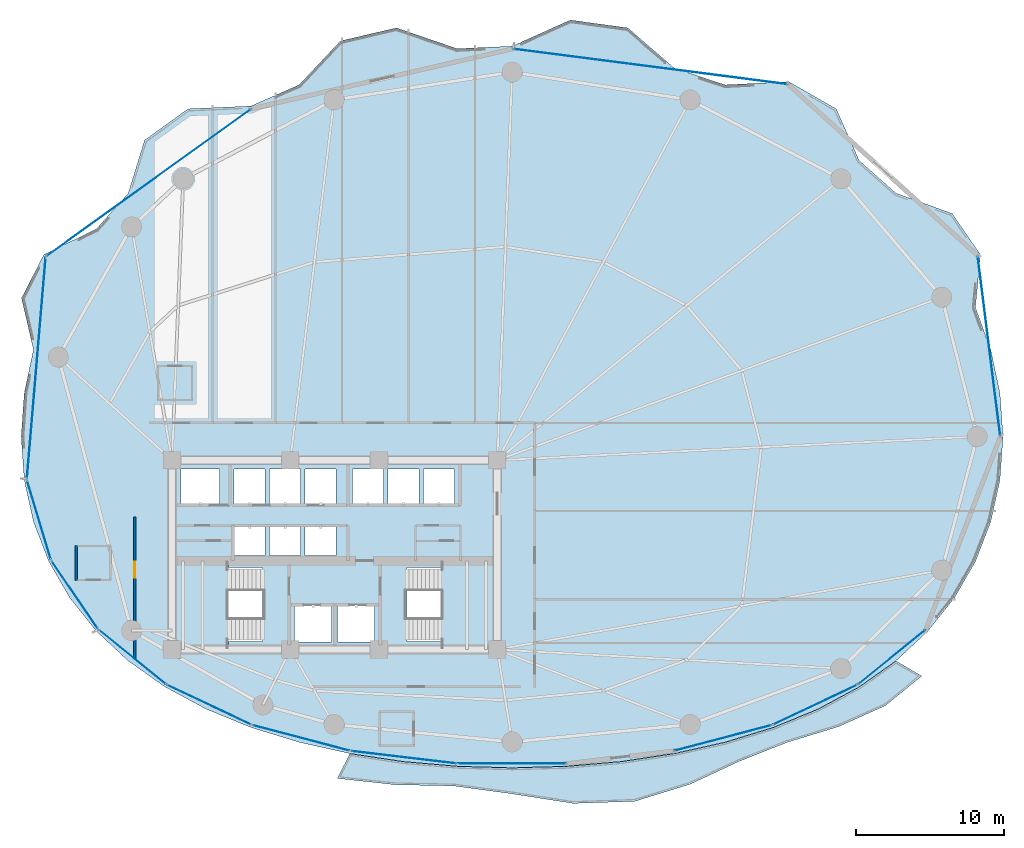
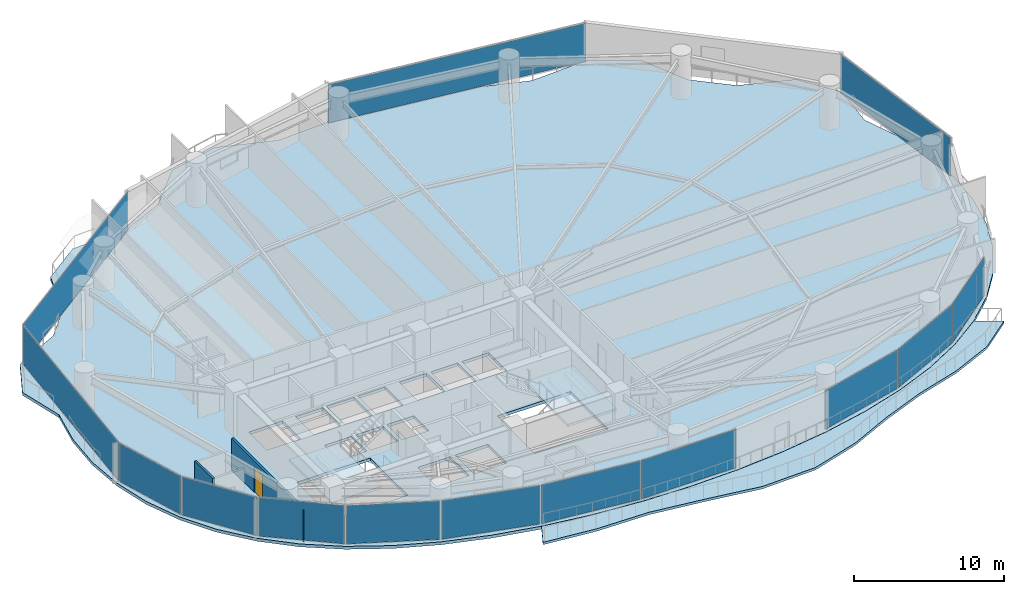
# One storey, part 24 of 30: 14 plates, 4 slabs, 2 walls, 1 door, 1 opening, 16 elements without a shape of their own.
"""IFC4 building model written with IfcOpenShell, lengths in metres."""

from ifc_helpers import new_model, si_unit, direction, frame, frame_2d, origin, origin_2d, place, context, subcontext, project, spatial, polyline, rectangle, outline, extrude, material, layer, layer_set, type_object, element, fill, aggregate, save


model = new_model("IFC4")

# Units and contexts
model_context = context("Model", 3, precision=1e-05, world=origin(), true_north=direction((0.0, 1.0)))
body_context = subcontext(model_context, "Body", "Model", "MODEL_VIEW")
ifc_project = project(units=[si_unit("LENGTHUNIT", "METRE"), si_unit("AREAUNIT", "SQUARE_METRE"), si_unit("VOLUMEUNIT", "CUBIC_METRE"), si_unit("PLANEANGLEUNIT", "RADIAN"), si_unit("MASSUNIT", "GRAM", prefix="KILO")], contexts=[model_context])

# Site, building, storey
site_placement = place(None, origin())
site = spatial("IfcSite", under=ifc_project, at=site_placement, CompositionType="ELEMENT")
building_placement = place(site_placement, origin())
building = spatial("IfcBuilding", under=site, at=building_placement, Name="Kazevale Care Tower and Concert Hall", CompositionType="ELEMENT")
storey_placement = place(building_placement, frame((0.0, 0.0, 88.800048828125)))
storey = spatial("IfcBuildingStorey", under=building, at=storey_placement, Name="L23", CompositionType="ELEMENT", Elevation=88.800048828125)

# Curtain wall, plate
ifc_material_1 = material(Name="Aluminium 6063-T6 and Low-E Glass", Category="aluminium")
ifc_layer_1 = layer(ifc_material_1, 0.179931640625)
ifc_layer_set_1 = layer_set([ifc_layer_1], Name="Aluminium 6063-T6 and Low-E Glass")
curtain_wall_type_1 = type_object("IfcCurtainWallType", Name="Convex Recessed Sunroom Curtain Wall CW-3", PredefinedType="NOTDEFINED", material=ifc_layer_set_1)
curtain_wall_1_placement = place(storey_placement, origin())
curtain_wall_1 = element("IfcCurtainWall", 1, at=curtain_wall_1_placement, inside=storey, type_object=curtain_wall_type_1, Name="cw:L23:f14", PredefinedType="NOTDEFINED")
ifc_material_2 = material(Name="Low-E Laminated Glass", Category="glass")
ifc_layer_2 = layer(ifc_material_2, 0.028076171875)
ifc_layer_set_2 = layer_set([ifc_layer_2], Name="Low-E Laminated Glass")
plate_type_1 = type_object("IfcPlateType", Name="CW-3 Low-E Glazing Panel 28mm", PredefinedType="CURTAIN_PANEL", material=ifc_layer_set_2)
plate_1_placement = place(storey_placement, frame((20.4208984375, 55.169921875, 0.074951171875), z_axis=(0.0, 0.0, 1.0), x_axis=(0.811757810171, 0.583994227391, 0.0)))
plate_1 = element("IfcPlate", 2, at=plate_1_placement, type_object=plate_type_1, Name="CW-3 panel 1.1", PredefinedType="CURTAIN_PANEL", context=body_context, shape_type="SweptSolid", body=[
    extrude(rectangle(XDim=16.990478515625, YDim=0.028076171875, at=origin_2d()), origin(), (0.0, 0.0, 1.0), 3.1298828125),
])
aggregate(curtain_wall_1, [plate_1])

curtain_wall_2_placement = place(storey_placement, origin())
curtain_wall_2 = element("IfcCurtainWall", 3, at=curtain_wall_2_placement, inside=storey, type_object=curtain_wall_type_1, Name="cw:L23:f16", PredefinedType="NOTDEFINED")
plate_2_placement = place(storey_placement, frame((54.349609375, 63.02197265625, 0.074951171875), z_axis=(0.0, 0.0, 1.0), x_axis=(0.991790949461, -0.127869904852, 0.0)))
plate_2 = element("IfcPlate", 4, at=plate_2_placement, type_object=plate_type_1, Name="CW-3 panel 1.1", PredefinedType="CURTAIN_PANEL", context=body_context, shape_type="SweptSolid", body=[
    extrude(rectangle(XDim=18.619140625, YDim=0.028076171875, at=origin_2d()), origin(), (0.0, 0.0, 1.0), 3.1298828125),
])
aggregate(curtain_wall_2, [plate_2])

ifc_layer_3 = layer(ifc_material_1, 0.179931640625)
ifc_layer_set_3 = layer_set([ifc_layer_3], Name="Aluminium 6063-T6 and Low-E Glass")
curtain_wall_type_2 = type_object("IfcCurtainWallType", Name="Waist & Upper Residential Curtain Wall CW-4", PredefinedType="NOTDEFINED", material=ifc_layer_set_3)
curtain_wall_3_placement = place(storey_placement, origin())
curtain_wall_3 = element("IfcCurtainWall", 5, at=curtain_wall_3_placement, inside=storey, type_object=curtain_wall_type_2, Name="cw:L23:f11", PredefinedType="NOTDEFINED")
ifc_layer_4 = layer(ifc_material_2, 0.030029296875)
ifc_layer_set_4 = layer_set([ifc_layer_4], Name="Low-E Laminated Glass")
plate_type_2 = type_object("IfcPlateType", Name="CW-4 Low-E Glazing Panel 30mm", PredefinedType="CURTAIN_PANEL", material=ifc_layer_set_4)
plate_3_placement = place(storey_placement, frame((15.423583984375, 27.298095703125, 0.079833984375), z_axis=(0.0, 0.0, 1.0), x_axis=(-0.563665236801, 0.826003329789, 0.0)))
plate_3 = element("IfcPlate", 6, at=plate_3_placement, type_object=plate_type_2, Name="CW-4 panel 1.1", PredefinedType="CURTAIN_PANEL", context=body_context, shape_type="SweptSolid", body=[
    extrude(rectangle(XDim=5.50830078125, YDim=0.030029296875, at=origin_2d()), origin(), (0.0, 0.0, 1.0), 3.1201171875),
])
aggregate(curtain_wall_3, [plate_3])

curtain_wall_4_placement = place(storey_placement, origin())
curtain_wall_4 = element("IfcCurtainWall", 7, at=curtain_wall_4_placement, inside=storey, type_object=curtain_wall_type_2, Name="cw:L23:f12", PredefinedType="NOTDEFINED")
plate_4_placement = place(storey_placement, frame((13.006591796875, 32.364990234375, 0.079833984375), z_axis=(0.0, 0.0, 1.0), x_axis=(-0.287895747909, 0.957661755703, 0.0)))
plate_4 = element("IfcPlate", 8, at=plate_4_placement, type_object=plate_type_2, Name="CW-4 panel 1.1", PredefinedType="CURTAIN_PANEL", context=body_context, shape_type="SweptSolid", body=[
    extrude(rectangle(XDim=5.532958984375, YDim=0.030029296875, at=origin_2d()), origin(), (0.0, 0.0, 1.0), 3.1201171875),
])
aggregate(curtain_wall_4, [plate_4])

curtain_wall_5_placement = place(storey_placement, origin())
curtain_wall_5 = element("IfcCurtainWall", 9, at=curtain_wall_5_placement, inside=storey, type_object=curtain_wall_type_2, Name="cw:L23:f13", PredefinedType="NOTDEFINED")
plate_5_placement = place(storey_placement, frame((12.825439453125, 42.6279296875, 0.079833984375), z_axis=(0.0, 0.0, 1.0), x_axis=(0.084413041998, 0.996430849754, 0.0)))
plate_5 = element("IfcPlate", 10, at=plate_5_placement, type_object=plate_type_2, Name="CW-4 panel 1.1", PredefinedType="CURTAIN_PANEL", context=body_context, shape_type="SweptSolid", body=[
    extrude(rectangle(XDim=14.968017578125, YDim=0.030029296875, at=origin_2d()), origin(), (0.0, 0.0, 1.0), 3.1201171875),
])
aggregate(curtain_wall_5, [plate_5])

curtain_wall_6_placement = place(storey_placement, origin())
curtain_wall_6 = element("IfcCurtainWall", 11, at=curtain_wall_6_placement, inside=storey, type_object=curtain_wall_type_2, Name="cw:L23:f18", PredefinedType="NOTDEFINED")
plate_6_placement = place(storey_placement, frame((77.251953125, 44.1259765625, 0.079833984375), z_axis=(0.0, 0.0, 1.0), x_axis=(0.124393554037, -0.992232958389, 0.0)))
plate_6 = element("IfcPlate", 12, at=plate_6_placement, type_object=plate_type_2, Name="CW-4 panel 1.1", PredefinedType="CURTAIN_PANEL", context=body_context, shape_type="SweptSolid", body=[
    extrude(rectangle(XDim=12.18798828125, YDim=0.030029296875, at=origin_2d()), origin(), (0.0, 0.0, 1.0), 3.1201171875),
])
aggregate(curtain_wall_6, [plate_6])

ifc_layer_5 = layer(ifc_material_1, 0.179931640625)
ifc_layer_set_5 = layer_set([ifc_layer_5], Name="Aluminium 6063-T6 and Low-E Glass")
curtain_wall_type_3 = type_object("IfcCurtainWallType", Name="Sheltered Concave Balcony Curtain Wall CW-5", PredefinedType="NOTDEFINED", material=ifc_layer_set_5)
curtain_wall_7_placement = place(storey_placement, origin())
curtain_wall_7 = element("IfcCurtainWall", 13, at=curtain_wall_7_placement, inside=storey, type_object=curtain_wall_type_3, Name="cw:L23:f02", PredefinedType="NOTDEFINED")
ifc_layer_6 = layer(ifc_material_2, 0.02587890625)
ifc_layer_set_6 = layer_set([ifc_layer_6], Name="Low-E Laminated Glass")
plate_type_3 = type_object("IfcPlateType", Name="CW-5 Low-E Glazing Panel 26mm", PredefinedType="CURTAIN_PANEL", material=ifc_layer_set_6)
plate_7_placement = place(storey_placement, frame((70.679931640625, 23.092041015625, 0.074951171875), z_axis=(0.0, 0.0, 1.0), x_axis=(-0.77659940539, -0.629994732952, 0.0)))
plate_7 = element("IfcPlate", 14, at=plate_7_placement, type_object=plate_type_3, Name="CW-5 panel 1.1", PredefinedType="CURTAIN_PANEL", context=body_context, shape_type="SweptSolid", body=[
    extrude(rectangle(XDim=5.770751953125, YDim=0.02587890625, at=origin_2d()), origin(), (0.0, 0.0, 1.0), 3.1298828125),
])
aggregate(curtain_wall_7, [plate_7])

curtain_wall_8_placement = place(storey_placement, origin())
curtain_wall_8 = element("IfcCurtainWall", 15, at=curtain_wall_8_placement, inside=storey, type_object=curtain_wall_type_3, Name="cw:L23:f03", PredefinedType="NOTDEFINED")
plate_8_placement = place(storey_placement, frame((65.491943359375, 19.863037109375, 0.074951171875), z_axis=(0.0, 0.0, 1.0), x_axis=(-0.904278859092, -0.426942320459, 0.0)))
plate_8 = element("IfcPlate", 16, at=plate_8_placement, type_object=plate_type_3, Name="CW-5 panel 1.1", PredefinedType="CURTAIN_PANEL", context=body_context, shape_type="SweptSolid", body=[
    extrude(rectangle(XDim=6.239501953125, YDim=0.02587890625, at=origin_2d()), origin(), (0.0, 0.0, 1.0), 3.1298828125),
])
aggregate(curtain_wall_8, [plate_8])

curtain_wall_9_placement = place(storey_placement, origin())
curtain_wall_9 = element("IfcCurtainWall", 17, at=curtain_wall_9_placement, inside=storey, type_object=curtain_wall_type_3, Name="cw:L23:f04", PredefinedType="NOTDEFINED")
plate_9_placement = place(storey_placement, frame((59.267578125, 17.6201171875, 0.074951171875), z_axis=(0.0, 0.0, 1.0), x_axis=(-0.966986230097, -0.254828630267, 0.0)))
plate_9 = element("IfcPlate", 18, at=plate_9_placement, type_object=plate_type_3, Name="CW-5 panel 1.1", PredefinedType="CURTAIN_PANEL", context=body_context, shape_type="SweptSolid", body=[
    extrude(rectangle(XDim=6.748779296875, YDim=0.02587890625, at=origin_2d()), origin(), (0.0, 0.0, 1.0), 3.1298828125),
])
aggregate(curtain_wall_9, [plate_9])

curtain_wall_10_placement = place(storey_placement, origin())
curtain_wall_10 = element("IfcCurtainWall", 19, at=curtain_wall_10_placement, inside=storey, type_object=curtain_wall_type_3, Name="cw:L23:f06", PredefinedType="NOTDEFINED")
plate_10_placement = place(storey_placement, frame((45.0, 15.885986328125, 0.074951171875), z_axis=(0.0, 0.0, 1.0), x_axis=(-1.0, 0.0, 0.0)))
plate_10 = element("IfcPlate", 20, at=plate_10_placement, type_object=plate_type_3, Name="CW-5 panel 1.1", PredefinedType="CURTAIN_PANEL", context=body_context, shape_type="SweptSolid", body=[
    extrude(rectangle(XDim=7.263916015625, YDim=0.02587890625, at=origin_2d()), origin(), (0.0, 0.0, 1.0), 3.1298828125),
])
aggregate(curtain_wall_10, [plate_10])

curtain_wall_11_placement = place(storey_placement, origin())
curtain_wall_11 = element("IfcCurtainWall", 21, at=curtain_wall_11_placement, inside=storey, type_object=curtain_wall_type_3, Name="cw:L23:f07", PredefinedType="NOTDEFINED")
plate_11_placement = place(storey_placement, frame((37.680419921875, 16.3134765625, 0.074951171875), z_axis=(0.0, 0.0, 1.0), x_axis=(-0.993070624294, 0.117519084253, 0.0)))
plate_11 = element("IfcPlate", 22, at=plate_11_placement, type_object=plate_type_3, Name="CW-5 panel 1.1", PredefinedType="CURTAIN_PANEL", context=body_context, shape_type="SweptSolid", body=[
    extrude(rectangle(XDim=7.12548828125, YDim=0.02587890625, at=origin_2d()), origin(), (0.0, 0.0, 1.0), 3.1298828125),
])
aggregate(curtain_wall_11, [plate_11])

curtain_wall_12_placement = place(storey_placement, origin())
curtain_wall_12 = element("IfcCurtainWall", 23, at=curtain_wall_12_placement, inside=storey, type_object=curtain_wall_type_3, Name="cw:L23:f08", PredefinedType="NOTDEFINED")
plate_12_placement = place(storey_placement, frame((30.732421875, 17.6201171875, 0.074951171875), z_axis=(0.0, 0.0, 1.0), x_axis=(-0.966986230097, 0.254828630267, 0.0)))
plate_12 = element("IfcPlate", 24, at=plate_12_placement, type_object=plate_type_3, Name="CW-5 panel 1.1", PredefinedType="CURTAIN_PANEL", context=body_context, shape_type="SweptSolid", body=[
    extrude(rectangle(XDim=6.748779296875, YDim=0.02587890625, at=origin_2d()), origin(), (0.0, 0.0, 1.0), 3.1298828125),
])
aggregate(curtain_wall_12, [plate_12])

curtain_wall_13_placement = place(storey_placement, origin())
curtain_wall_13 = element("IfcCurtainWall", 25, at=curtain_wall_13_placement, inside=storey, type_object=curtain_wall_type_3, Name="cw:L23:f09", PredefinedType="NOTDEFINED")
plate_13_placement = place(storey_placement, frame((24.508056640625, 19.863037109375, 0.074951171875), z_axis=(0.0, 0.0, 1.0), x_axis=(-0.904278859092, 0.426942320459, 0.0)))
plate_13 = element("IfcPlate", 26, at=plate_13_placement, type_object=plate_type_3, Name="CW-5 panel 1.1", PredefinedType="CURTAIN_PANEL", context=body_context, shape_type="SweptSolid", body=[
    extrude(rectangle(XDim=6.239501953125, YDim=0.02587890625, at=origin_2d()), origin(), (0.0, 0.0, 1.0), 3.1298828125),
])
aggregate(curtain_wall_13, [plate_13])

curtain_wall_14_placement = place(storey_placement, origin())
curtain_wall_14 = element("IfcCurtainWall", 27, at=curtain_wall_14_placement, inside=storey, type_object=curtain_wall_type_3, Name="cw:L23:f10", PredefinedType="NOTDEFINED")
plate_14_placement = place(storey_placement, frame((19.320068359375, 23.092041015625, 0.074951171875), z_axis=(0.0, 0.0, 1.0), x_axis=(-0.77659940539, 0.629994732952, 0.0)))
plate_14 = element("IfcPlate", 28, at=plate_14_placement, type_object=plate_type_3, Name="CW-5 panel 1.1", PredefinedType="CURTAIN_PANEL", context=body_context, shape_type="SweptSolid", body=[
    extrude(rectangle(XDim=5.770751953125, YDim=0.02587890625, at=origin_2d()), origin(), (0.0, 0.0, 1.0), 3.1298828125),
])
aggregate(curtain_wall_14, [plate_14])

# Slab
ifc_material_3 = material(Name="Concrete C40", Category="concrete")
ifc_layer_7 = layer(ifc_material_3, 0.199951171875)
ifc_layer_set_7 = layer_set([ifc_layer_7], Name="Concrete C40")
slab_type_1 = type_object("IfcSlabType", Name="Sinusoidal Concave Balcony Slab 200", PredefinedType="USERDEFINED", material=ifc_layer_set_7)
slab_1_placement = place(storey_placement, frame((0.0, 0.0, -0.199951171875)))
element("IfcSlab", 29, at=slab_1_placement, inside=storey, type_object=slab_type_1, Name="slab:L23:bal", ObjectType="BALCONY", PredefinedType="USERDEFINED", context=body_context, shape_type="SweptSolid", body=[
    extrude(outline(polyline([(72.702880859375, 21.806396484375), (70.239501953125, 19.802001953125), (67.04931640625, 18.37451171875), (63.57421875, 17.3154296875), (60.317138671875, 16.01953125), (57.028076171875, 14.486328125), (53.29248046875, 13.33447265625), (49.13623046875, 13.192626953125), (45.0, 13.84130859375), (41.060791015625, 14.374267578125), (37.084716796875, 14.45654296875), (33.17578125, 14.884765625), (34.0322265625, 16.55908203125), (34.03369140625, 16.558837890625), (37.61181640625, 16.0205078125), (41.282470703125, 15.700927734375), (45.0, 15.594970703125), (48.717529296875, 15.700927734375), (52.38818359375, 16.0205078125), (55.96630859375, 16.558837890625), (59.40625, 17.323974609375), (62.665283203125, 18.324951171875), (65.701904296875, 19.571044921875), (68.478515625, 21.069091796875), (70.9599609375, 22.8232421875), (70.961181640625, 22.824462890625), (72.702880859375, 21.806396484375)])), origin(), (0.0, 0.0, 1.0), 0.199951171875),
])

# Stair, slab
stair_type = type_object("IfcStairType", Name="Exit Stair Assembly ST1-Z1", PredefinedType="HALF_TURN_STAIR", material=ifc_material_3)
stair_1_placement = place(storey_placement, origin())
stair_1 = element("IfcStair", 30, at=stair_1_placement, inside=storey, type_object=stair_type, Name="stair:L23:ST1", PredefinedType="HALF_TURN_STAIR")
ifc_layer_8 = layer(ifc_material_3, 0.199951171875)
ifc_layer_set_8 = layer_set([ifc_layer_8], Name="Concrete C40")
slab_type_2 = type_object("IfcSlabType", Name="Stair Half-Landing Slab ST1-Z1", PredefinedType="LANDING", material=ifc_layer_set_8)
slab_2_placement = place(storey_placement, frame((0.0, 0.0, 1.599853515625)))
slab_2 = element("IfcSlab", 31, at=slab_2_placement, type_object=slab_type_2, Name="ST1-Z1 landing 1", PredefinedType="LANDING", context=body_context, shape_type="SweptSolid", body=[
    extrude(outline(polyline([(22.050048828125, 23.699951171875), (25.81005859375, 23.699951171875), (25.81005859375, 29.5), (22.050048828125, 29.5), (22.050048828125, 23.699951171875)])), origin(), (0.0, 0.0, 1.0), 0.2001953125),
])
aggregate(stair_1, [slab_2])

stair_2_placement = place(storey_placement, origin())
stair_2 = element("IfcStair", 32, at=stair_2_placement, inside=storey, type_object=stair_type, Name="stair:L23:ST2", PredefinedType="HALF_TURN_STAIR")
slab_3_placement = place(storey_placement, frame((0.0, 0.0, 1.599853515625)))
slab_3 = element("IfcSlab", 33, at=slab_3_placement, type_object=slab_type_2, Name="ST1-Z1 landing 1", PredefinedType="LANDING", context=body_context, shape_type="SweptSolid", body=[
    extrude(outline(polyline([(40.18994140625, 23.699951171875), (43.949951171875, 23.699951171875), (43.949951171875, 29.5), (40.18994140625, 29.5), (40.18994140625, 23.699951171875)])), origin(), (0.0, 0.0, 1.0), 0.2001953125),
])
aggregate(stair_2, [slab_3])

# Slab
ifc_layer_9 = layer(ifc_material_3, 0.239990234375)
ifc_layer_set_9 = layer_set([ifc_layer_9], Name="Concrete C40")
slab_type_3 = type_object("IfcSlabType", Name="Tower Typical Floor Slab 240", PredefinedType="FLOOR", material=ifc_layer_set_9)
slab_4_placement = place(storey_placement, frame((0.0, 0.0, -0.239990234375)))
element("IfcSlab", 34, at=slab_4_placement, inside=storey, type_object=slab_type_3, Name="slab:L23:tw:1", PredefinedType="FLOOR", context=body_context, shape_type="SweptSolid", body=[
    extrude(outline(polyline([(78.199951171875, 38.0), (77.9912109375, 40.955810546875), (77.36767578125, 43.87451171875), (76.3369140625, 46.719482421875), (76.669189453125, 50.300537109375), (74.762451171875, 53.0830078125), (70.956787109375, 54.460205078125), (68.475830078125, 56.66748046875), (66.915771484375, 60.164794921875), (63.700927734375, 62.004638671875), (59.40478515625, 61.78564453125), (55.96533203125, 62.91845703125), (52.821533203125, 65.63916015625), (48.935546875, 66.171630859375), (45.0, 64.39990234375), (41.28271484375, 64.23388671875), (37.178466796875, 65.63916015625), (33.390625, 64.759033203125), (30.59521484375, 61.78564453125), (27.33642578125, 60.353515625), (23.084228515625, 60.164794921875), (20.145263671875, 58.04638671875), (19.043212890625, 54.460205078125), (16.888916015625, 52.045654296875), (13.330810546875, 50.300537109375), (11.822509765625, 47.36328125), (12.63232421875, 43.87451171875), (12.0087890625, 40.955810546875), (11.800048828125, 38.0), (12.0087890625, 35.06494140625), (12.63232421875, 32.23388671875), (13.6630859375, 29.560791015625), (15.087890625, 27.084716796875), (16.888916015625, 24.833984375), (19.043212890625, 22.8271484375), (21.524169921875, 21.073486328125), (24.300048828125, 19.575439453125), (27.33642578125, 18.32958984375), (30.59521484375, 17.32861328125), (34.03466796875, 16.563720703125), (37.6123046875, 16.025390625), (41.28271484375, 15.705810546875), (45.0, 15.60009765625), (48.71728515625, 15.705810546875), (52.3876953125, 16.025390625), (55.96533203125, 16.563720703125), (59.40478515625, 17.32861328125), (62.66357421875, 18.32958984375), (65.699951171875, 19.575439453125), (68.475830078125, 21.073486328125), (70.956787109375, 22.8271484375), (73.111083984375, 24.833984375), (74.912109375, 27.084716796875), (76.3369140625, 29.560791015625), (77.36767578125, 32.23388671875), (77.9912109375, 35.06494140625), (78.199951171875, 38.0)]), holes=[polyline([(22.449951171875, 24.14990234375), (28.110107421875, 24.14990234375), (28.110107421875, 29.14990234375), (22.449951171875, 29.14990234375), (22.449951171875, 24.14990234375)]), polyline([(37.889892578125, 24.14990234375), (43.550048828125, 24.14990234375), (43.550048828125, 29.14990234375), (37.889892578125, 29.14990234375), (37.889892578125, 24.14990234375)]), polyline([(30.300048828125, 24.10009765625), (32.800048828125, 24.10009765625), (32.800048828125, 26.60009765625), (30.300048828125, 26.60009765625), (30.300048828125, 24.10009765625)]), polyline([(33.199951171875, 24.10009765625), (35.699951171875, 24.10009765625), (35.699951171875, 26.60009765625), (33.199951171875, 26.60009765625), (33.199951171875, 24.10009765625)]), polyline([(22.60009765625, 33.39990234375), (25.199951171875, 33.39990234375), (25.199951171875, 35.800048828125), (22.60009765625, 35.800048828125), (22.60009765625, 33.39990234375)]), polyline([(26.199951171875, 33.39990234375), (28.300048828125, 33.39990234375), (28.300048828125, 35.800048828125), (26.199951171875, 35.800048828125), (26.199951171875, 33.39990234375)]), polyline([(28.60009765625, 33.39990234375), (30.699951171875, 33.39990234375), (30.699951171875, 35.800048828125), (28.60009765625, 35.800048828125), (28.60009765625, 33.39990234375)]), polyline([(31.0, 33.39990234375), (33.10009765625, 33.39990234375), (33.10009765625, 35.800048828125), (31.0, 35.800048828125), (31.0, 33.39990234375)]), polyline([(34.199951171875, 33.39990234375), (36.300048828125, 33.39990234375), (36.300048828125, 35.800048828125), (34.199951171875, 35.800048828125), (34.199951171875, 33.39990234375)]), polyline([(36.60009765625, 33.39990234375), (38.699951171875, 33.39990234375), (38.699951171875, 35.800048828125), (36.60009765625, 35.800048828125), (36.60009765625, 33.39990234375)]), polyline([(39.0, 33.39990234375), (41.10009765625, 33.39990234375), (41.10009765625, 35.800048828125), (39.0, 35.800048828125), (39.0, 33.39990234375)]), polyline([(26.199951171875, 29.949951171875), (28.300048828125, 29.949951171875), (28.300048828125, 31.949951171875), (26.199951171875, 31.949951171875), (26.199951171875, 29.949951171875)]), polyline([(28.60009765625, 29.949951171875), (30.699951171875, 29.949951171875), (30.699951171875, 31.949951171875), (28.60009765625, 31.949951171875), (28.60009765625, 29.949951171875)]), polyline([(31.0, 29.949951171875), (33.10009765625, 29.949951171875), (33.10009765625, 31.949951171875), (31.0, 31.949951171875), (31.0, 29.949951171875)])]), origin(), (0.0, 0.0, 1.0), 0.239990234375),
])

# Wall, opening, door
ifc_material_4 = material(Name="Concrete C40 and Acoustic Gypsum", Category="concrete")
ifc_layer_10 = layer(ifc_material_4, 0.179931640625)
ifc_layer_set_10 = layer_set([ifc_layer_10], Name="Concrete C40 and Acoustic Gypsum")
wall_type_1 = type_object("IfcWallType", Name="Fire-Rated Corridor & Party Wall 180", PredefinedType="PARTITIONING", material=ifc_layer_set_10)
wall_1_placement = place(storey_placement, frame((19.47509765625, 22.976318359375, 0.0), z_axis=(0.0, 0.0, 1.0), x_axis=(0.0, 1.0, 0.0)))
wall_1 = element("IfcWall", 35, at=wall_1_placement, inside=storey, type_object=wall_type_1, Name="wall:L23:auto_012", PredefinedType="PARTITIONING", context=body_context, shape_type="SweptSolid", body=[
    extrude(rectangle(XDim=9.588623046875, YDim=0.179931640625, at=frame_2d((4.79443359375, 0.0))), origin(), (0.0, 0.0, 1.0), 2.576904296875),
])
opening_placement = place(wall_1_placement, frame((5.47412109375, 0.0, 0.0)))
opening = element("IfcOpeningElement", 36, at=opening_placement, cuts=wall_1, Name="Opening ID-1100", PredefinedType="OPENING", context=body_context, shape_type="SweptSolid", body=[
    extrude(rectangle(XDim=1.10009765625, YDim=2.10009765625, at=frame_2d((0.550048828125, 1.050048828125))), frame((0.0, 0.099853515625, 0.0), z_axis=(0.0, -1.0, 0.0), x_axis=(1.0, 0.0, 0.0)), (0.0, 0.0, 1.0), 0.199951171875),
])
ifc_material_5 = material(Name="Oak Timber Fire Leaf", Category="wood")
door_type = type_object("IfcDoorType", Name="Care Bedroom Accessible Door 1100x2100", OperationType="NOTDEFINED", PredefinedType="DOOR", material=ifc_material_5)
door_placement = place(opening_placement, origin())
door = element("IfcDoor", 37, at=door_placement, inside=storey, type_object=door_type, Name="door:L23:ad_012", OperationType="SINGLE_SWING_LEFT", OverallHeight=2.10009765625, OverallWidth=1.10009765625, PredefinedType="DOOR", context=body_context, shape_type="SweptSolid", body=[
    extrude(rectangle(XDim=1.10009765625, YDim=2.10009765625, at=frame_2d((0.550048828125, 1.050048828125))), frame((0.0, 0.02490234375, 0.0), z_axis=(0.0, -1.0, 0.0), x_axis=(1.0, 0.0, 0.0)), (0.0, 0.0, 1.0), 0.050048828125),
])
fill(opening, door)

# Wall
ifc_material_6 = material(Name="Acoustic Gypsum on Steel Stud", Category="steel")
ifc_layer_11 = layer(ifc_material_6, 0.159912109375)
ifc_layer_set_11 = layer_set([ifc_layer_11], Name="Acoustic Gypsum on Steel Stud")
wall_type_2 = type_object("IfcWallType", Name="Moisture-Resistant Bathroom Plumbing Wall 160", PredefinedType="PLUMBINGWALL", material=ifc_layer_set_11)
wall_2_placement = place(storey_placement, frame((15.52392578125, 28.260009765625, 0.0), z_axis=(0.0, 0.0, 1.0), x_axis=(0.0, 1.0, 0.0)))
element("IfcWall", 38, at=wall_2_placement, inside=storey, type_object=wall_type_2, Name="wall:L23:wb2_ens_ww", PredefinedType="PLUMBINGWALL", context=body_context, shape_type="SweptSolid", body=[
    extrude(rectangle(XDim=2.3798828125, YDim=0.159912109375, at=frame_2d((1.18994140625, 0.0))), origin(), (0.0, 0.0, 1.0), 3.280029296875),
])

save(model, "model.ifc")
